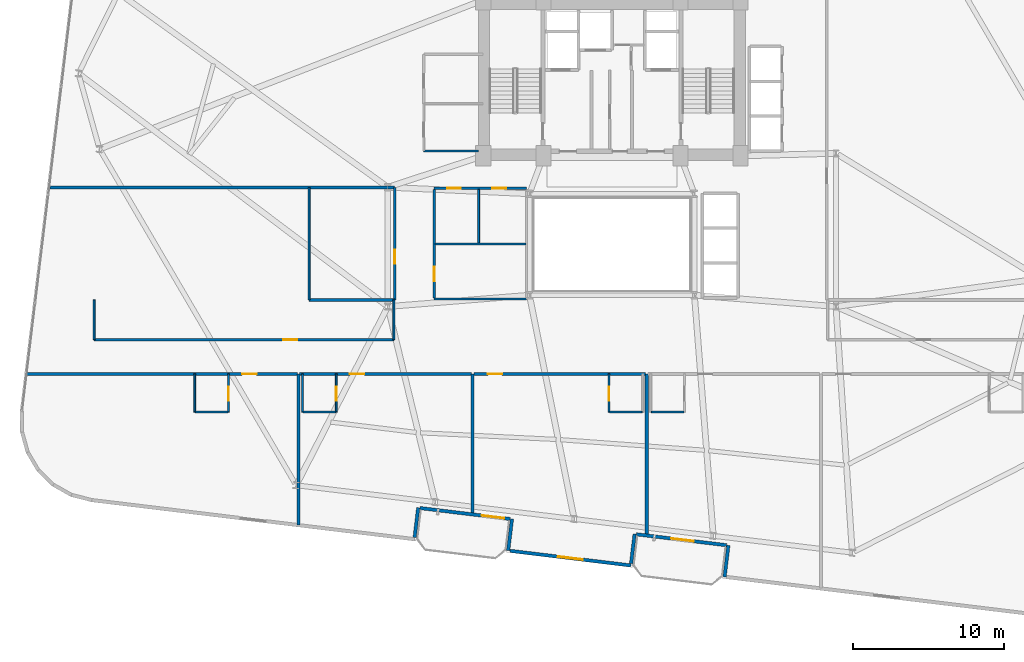
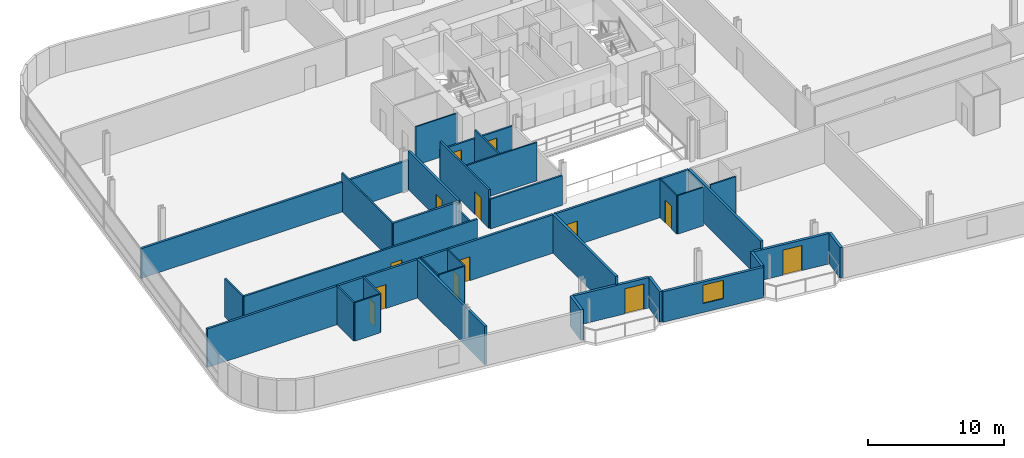
# One storey, part 20 of 25: 35 walls, 13 doors, 1 window, 14 openings.
"""IFC4 building model written with IfcOpenShell, lengths in metres."""

from ifc_helpers import new_model, si_unit, direction, frame, frame_2d, origin, place, context, subcontext, project, spatial, rectangle, extrude, material, layer, layer_set, type_object, element, fill, save


model = new_model("IFC4")

# Units and contexts
model_context = context("Model", 3, precision=1e-05, world=origin(), true_north=direction((0.0, 1.0)))
body_context = subcontext(model_context, "Body", "Model", "MODEL_VIEW")
ifc_project = project(units=[si_unit("LENGTHUNIT", "METRE"), si_unit("AREAUNIT", "SQUARE_METRE"), si_unit("VOLUMEUNIT", "CUBIC_METRE"), si_unit("PLANEANGLEUNIT", "RADIAN"), si_unit("MASSUNIT", "GRAM", prefix="KILO")], contexts=[model_context])

# Site, building, storey
site_placement = place(None, origin())
site = spatial("IfcSite", under=ifc_project, at=site_placement, CompositionType="ELEMENT")
building_placement = place(site_placement, origin())
building = spatial("IfcBuilding", under=site, at=building_placement, Name="Varnelok Gate Tower", CompositionType="ELEMENT")
storey_placement = place(building_placement, frame((0.0, 0.0, 140.199951171875)))
storey = spatial("IfcBuildingStorey", under=building, at=storey_placement, Name="L35", CompositionType="ELEMENT", Elevation=140.199951171875)

# Wall, opening, door
ifc_material_1 = material(Name="Concrete C45/55", Category="concrete")
ifc_layer_1 = layer(ifc_material_1, 0.219970703125)
ifc_layer_set_1 = layer_set([ifc_layer_1], Name="Concrete C45/55")
wall_type_1 = type_object("IfcWallType", Name="EW-BALC-220", PredefinedType="SOLIDWALL", material=ifc_layer_set_1)
wall_1_placement = place(storey_placement, frame((32.48046875, 4.76953125, 0.0), z_axis=(0.0, 0.0, 1.0), x_axis=(-0.992735402148, 0.120318000826, 0.0)))
wall_1 = element("IfcWall", 1, at=wall_1_placement, inside=storey, type_object=wall_type_1, Name="L35 South Terrace Envelope Wall 1", PredefinedType="SOLIDWALL", context=body_context, shape_type="SweptSolid", body=[
    extrude(rectangle(XDim=6.000244140625, YDim=0.219970703125, at=frame_2d((3.0, 0.0))), origin(), (0.0, 0.0, 1.0), 2.72998046875),
])
opening_1_placement = place(wall_1_placement, frame((0.39990234375, 0.0, 0.0)))
opening_1 = element("IfcOpeningElement", 2, at=opening_1_placement, cuts=wall_1, Name="Opening BD-1", PredefinedType="OPENING", context=body_context, shape_type="SweptSolid", body=[
    extrude(rectangle(XDim=1.5, YDim=2.25, at=frame_2d((0.75, 1.125))), frame((0.0, 0.119873046875, 0.0), z_axis=(0.0, -1.0, 0.0), x_axis=(1.0, 0.0, 0.0)), (0.0, 0.0, 1.0), 0.239990234375),
])
ifc_material_2 = material(Name="Anodized Aluminum Alloy 6063-T6", Category="aluminium")
door_type_1 = type_object("IfcDoorType", Name="DR-EXT-BALC1500", OperationType="NOTDEFINED", PredefinedType="DOOR", material=ifc_material_2)
door_1_placement = place(opening_1_placement, origin())
door_1 = element("IfcDoor", 3, at=door_1_placement, inside=storey, type_object=door_type_1, Name="L35 South Balcony Glazed Door 1", OperationType="SINGLE_SWING_RIGHT", OverallHeight=2.25, OverallWidth=1.5, PredefinedType="DOOR", context=body_context, shape_type="SweptSolid", body=[
    extrude(rectangle(XDim=1.5, YDim=2.25, at=frame_2d((0.75, 1.125))), frame((0.0, 0.02490234375, 0.0), z_axis=(0.0, -1.0, 0.0), x_axis=(1.0, 0.0, 0.0)), (0.0, 0.0, 1.0), 0.050048828125),
])
fill(opening_1, door_1)

wall_2_placement = place(storey_placement, frame((46.77587890625, 3.03662109375, 0.0), z_axis=(0.0, 0.0, 1.0), x_axis=(-0.992735402148, 0.120318000826, 0.0)))
wall_2 = element("IfcWall", 4, at=wall_2_placement, inside=storey, type_object=wall_type_1, Name="L35 South Terrace Envelope Wall 2", PredefinedType="SOLIDWALL", context=body_context, shape_type="SweptSolid", body=[
    extrude(rectangle(XDim=6.000244140625, YDim=0.219970703125, at=frame_2d((3.0, 0.0))), origin(), (0.0, 0.0, 1.0), 2.72998046875),
])
opening_2_placement = place(wall_2_placement, frame((2.176025390625, 0.0, 0.0)))
opening_2 = element("IfcOpeningElement", 5, at=opening_2_placement, cuts=wall_2, Name="Opening BD-1", PredefinedType="OPENING", context=body_context, shape_type="SweptSolid", body=[
    extrude(rectangle(XDim=1.5, YDim=2.25, at=frame_2d((0.75, 1.125))), frame((0.0, 0.119873046875, 0.0), z_axis=(0.0, -1.0, 0.0), x_axis=(1.0, 0.0, 0.0)), (0.0, 0.0, 1.0), 0.239990234375),
])
door_2_placement = place(opening_2_placement, origin())
door_2 = element("IfcDoor", 6, at=door_2_placement, inside=storey, type_object=door_type_1, Name="L35 South Balcony Glazed Door 2", OperationType="SINGLE_SWING_LEFT", OverallHeight=2.25, OverallWidth=1.5, PredefinedType="DOOR", context=body_context, shape_type="SweptSolid", body=[
    extrude(rectangle(XDim=1.5, YDim=2.25, at=frame_2d((0.75, 1.125))), frame((0.0, 0.02490234375, 0.0), z_axis=(0.0, -1.0, 0.0), x_axis=(1.0, 0.0, 0.0)), (0.0, 0.0, 1.0), 0.050048828125),
])
fill(opening_2, door_2)

# Walls
wall_3_placement = place(storey_placement, frame((26.16845703125, 3.555419921875, 0.0), z_axis=(0.0, 0.0, 1.0), x_axis=(0.120290754542, 0.992738703976, 0.0)))
element("IfcWall", 7, at=wall_3_placement, inside=storey, type_object=wall_type_1, Name="L35 Perimeter Facade Closure Wall 8", PredefinedType="SOLIDWALL", context=body_context, shape_type="SweptSolid", body=[
    extrude(rectangle(XDim=1.974853515625, YDim=0.219970703125, at=frame_2d((0.9873046875, 0.0))), origin(), (0.0, 0.0, 1.0), 2.72998046875),
])
wall_4_placement = place(storey_placement, frame((32.600830078125, 4.764892578125, 0.0), z_axis=(0.0, 0.0, 1.0), x_axis=(-0.120327895535, -0.992734202874, 0.0)))
element("IfcWall", 8, at=wall_4_placement, inside=storey, type_object=wall_type_1, Name="L35 Perimeter Facade Closure Wall 9", PredefinedType="SOLIDWALL", context=body_context, shape_type="SweptSolid", body=[
    extrude(rectangle(XDim=2.099853515625, YDim=0.219970703125, at=frame_2d((1.0498046875, 0.0))), origin(), (0.0, 0.0, 1.0), 2.72998046875),
])

# Wall, opening, window
wall_5_placement = place(storey_placement, frame((32.47216796875, 2.6650390625, 0.0), z_axis=(0.0, 0.0, 1.0), x_axis=(0.992734661931, -0.120324108143, 0.0)))
wall_5 = element("IfcWall", 9, at=wall_5_placement, inside=storey, type_object=wall_type_1, Name="L35 Perimeter Facade Closure Wall 10", PredefinedType="SOLIDWALL", context=body_context, shape_type="SweptSolid", body=[
    extrude(rectangle(XDim=8.034912109375, YDim=0.219970703125, at=frame_2d((4.017578125, 0.0))), origin(), (0.0, 0.0, 1.0), 2.72998046875),
])
opening_3_placement = place(wall_5_placement, frame((3.1923828125, 0.0, 0.800048828125)))
opening_3 = element("IfcOpeningElement", 10, at=opening_3_placement, cuts=wall_5, Name="Opening WN3", PredefinedType="OPENING", context=body_context, shape_type="SweptSolid", body=[
    extrude(rectangle(XDim=1.64990234375, YDim=1.64990234375, at=frame_2d((0.824951171875, 0.824951171875))), frame((0.0, 0.119873046875, 0.0), z_axis=(0.0, -1.0, 0.0), x_axis=(1.0, 0.0, 0.0)), (0.0, 0.0, 1.0), 0.239990234375),
])
ifc_material_3 = material(Name="Low-E Laminated Double Glazing IGU", Category="glass")
window_type = type_object("IfcWindowType", Name="WN-HTL-1650", PartitioningType="SINGLE_PANEL", PredefinedType="WINDOW", material=ifc_material_3)
window_placement = place(opening_3_placement, origin())
window = element("IfcWindow", 11, at=window_placement, inside=storey, type_object=window_type, Name="L35 Perimeter Vision Window 10", OverallHeight=1.64990234375, OverallWidth=1.64990234375, PartitioningType="SINGLE_PANEL", PredefinedType="WINDOW", context=body_context, shape_type="SweptSolid", body=[
    extrude(rectangle(XDim=1.64990234375, YDim=1.64990234375, at=frame_2d((0.824951171875, 0.824951171875))), frame((0.0, 0.030029296875, 0.0), z_axis=(0.0, -1.0, 0.0), x_axis=(1.0, 0.0, 0.0)), (0.0, 0.0, 1.0), 0.06005859375),
])
fill(opening_3, window)

# Walls
wall_6_placement = place(storey_placement, frame((40.4638671875, 1.822265625, 0.0), z_axis=(0.0, 0.0, 1.0), x_axis=(0.120275992932, 0.992740492538, 0.0)))
element("IfcWall", 12, at=wall_6_placement, inside=storey, type_object=wall_type_1, Name="L35 Perimeter Facade Closure Wall 11", PredefinedType="SOLIDWALL", context=body_context, shape_type="SweptSolid", body=[
    extrude(rectangle(XDim=1.97509765625, YDim=0.219970703125, at=frame_2d((0.987548828125, 0.0))), origin(), (0.0, 0.0, 1.0), 2.72998046875),
])
wall_7_placement = place(storey_placement, frame((46.89599609375, 3.031982421875, 0.0), z_axis=(0.0, 0.0, 1.0), x_axis=(-0.120327895535, -0.992734202874, 0.0)))
element("IfcWall", 13, at=wall_7_placement, inside=storey, type_object=wall_type_1, Name="L35 Perimeter Facade Closure Wall 12", PredefinedType="SOLIDWALL", context=body_context, shape_type="SweptSolid", body=[
    extrude(rectangle(XDim=2.099853515625, YDim=0.219970703125, at=frame_2d((1.0498046875, 0.0))), origin(), (0.0, 0.0, 1.0), 2.72998046875),
])

# Wall, opening, door
ifc_material_4 = material(Name="Gypsum Plasterboard Acoustic Partition", Category="gypsum")
ifc_layer_2 = layer(ifc_material_4, 0.179931640625)
ifc_layer_set_2 = layer_set([ifc_layer_2], Name="Gypsum Plasterboard Acoustic Partition")
wall_type_2 = type_object("IfcWallType", Name="PW-CORR-180", PredefinedType="PARTITIONING", material=ifc_layer_set_2)
wall_8_placement = place(storey_placement, frame((0.581298828125, 14.35009765625, 0.0), z_axis=(0.0, 0.0, 1.0), x_axis=(1.0, 0.0, 0.0)))
wall_8 = element("IfcWall", 14, at=wall_8_placement, inside=storey, type_object=wall_type_2, Name="Interior Partition", PredefinedType="PARTITIONING", context=body_context, shape_type="SweptSolid", body=[
    extrude(rectangle(XDim=17.838623046875, YDim=0.179931640625, at=frame_2d((8.91943359375, 0.0))), origin(), (0.0, 0.0, 1.0), 3.449951171875),
])
opening_4_placement = place(wall_8_placement, frame((14.195556640625, 0.0, 0.0)))
opening_4 = element("IfcOpeningElement", 15, at=opening_4_placement, cuts=wall_8, Name="Opening D-HT", PredefinedType="OPENING", context=body_context, shape_type="SweptSolid", body=[
    extrude(rectangle(XDim=0.949951171875, YDim=2.14990234375, at=frame_2d((0.47509765625, 1.074951171875))), frame((0.0, 0.099853515625, 0.0), z_axis=(0.0, -1.0, 0.0), x_axis=(1.0, 0.0, 0.0)), (0.0, 0.0, 1.0), 0.199951171875),
])
ifc_material_5 = material(Name="Engineered Hardwood Timber", Category="wood")
door_type_2 = type_object("IfcDoorType", Name="DR-HTL-950", OperationType="NOTDEFINED", PredefinedType="DOOR", material=ifc_material_5)
door_3_placement = place(opening_4_placement, origin())
door_3 = element("IfcDoor", 16, at=door_3_placement, inside=storey, type_object=door_type_2, Name="L35 Guest Room 01 Entrance Door", OperationType="SINGLE_SWING_RIGHT", OverallHeight=2.14990234375, OverallWidth=0.949951171875, PredefinedType="DOOR", context=body_context, shape_type="SweptSolid", body=[
    extrude(rectangle(XDim=0.949951171875, YDim=2.14990234375, at=frame_2d((0.47509765625, 1.074951171875))), frame((0.0, 0.02490234375, 0.0), z_axis=(0.0, -1.0, 0.0), x_axis=(1.0, 0.0, 0.0)), (0.0, 0.0, 1.0), 0.050048828125),
])
fill(opening_4, door_3)

wall_9_placement = place(storey_placement, frame((18.580078125, 14.35009765625, 0.0), z_axis=(0.0, 0.0, 1.0), x_axis=(1.0, 0.0, 0.0)))
wall_9 = element("IfcWall", 17, at=wall_9_placement, inside=storey, type_object=wall_type_2, Name="Interior Partition", PredefinedType="PARTITIONING", context=body_context, shape_type="SweptSolid", body=[
    extrude(rectangle(XDim=11.33984375, YDim=0.179931640625, at=frame_2d((5.669921875, 0.0))), origin(), (0.0, 0.0, 1.0), 3.449951171875),
])
opening_5_placement = place(wall_9_placement, frame((3.313232421875, 0.0, 0.0)))
opening_5 = element("IfcOpeningElement", 18, at=opening_5_placement, cuts=wall_9, Name="Opening D-HT", PredefinedType="OPENING", context=body_context, shape_type="SweptSolid", body=[
    extrude(rectangle(XDim=0.949951171875, YDim=2.14990234375, at=frame_2d((0.47509765625, 1.074951171875))), frame((0.0, 0.099853515625, 0.0), z_axis=(0.0, -1.0, 0.0), x_axis=(1.0, 0.0, 0.0)), (0.0, 0.0, 1.0), 0.199951171875),
])
door_4_placement = place(opening_5_placement, origin())
door_4 = element("IfcDoor", 19, at=door_4_placement, inside=storey, type_object=door_type_2, Name="L35 Guest Room 02 Entrance Door", OperationType="SINGLE_SWING_LEFT", OverallHeight=2.14990234375, OverallWidth=0.949951171875, PredefinedType="DOOR", context=body_context, shape_type="SweptSolid", body=[
    extrude(rectangle(XDim=0.949951171875, YDim=2.14990234375, at=frame_2d((0.47509765625, 1.074951171875))), frame((0.0, 0.02490234375, 0.0), z_axis=(0.0, -1.0, 0.0), x_axis=(1.0, 0.0, 0.0)), (0.0, 0.0, 1.0), 0.050048828125),
])
fill(opening_5, door_4)

wall_10_placement = place(storey_placement, frame((30.080078125, 14.35009765625, 0.0), z_axis=(0.0, 0.0, 1.0), x_axis=(1.0, 0.0, 0.0)))
wall_10 = element("IfcWall", 20, at=wall_10_placement, inside=storey, type_object=wall_type_2, Name="Interior Partition", PredefinedType="PARTITIONING", context=body_context, shape_type="SweptSolid", body=[
    extrude(rectangle(XDim=11.33984375, YDim=0.179931640625, at=frame_2d((5.669921875, 0.0))), origin(), (0.0, 0.0, 1.0), 3.449951171875),
])
opening_6_placement = place(wall_10_placement, frame((0.92333984375, 0.0, 0.0)))
opening_6 = element("IfcOpeningElement", 21, at=opening_6_placement, cuts=wall_10, Name="Opening D-HT", PredefinedType="OPENING", context=body_context, shape_type="SweptSolid", body=[
    extrude(rectangle(XDim=0.949951171875, YDim=2.14990234375, at=frame_2d((0.47509765625, 1.074951171875))), frame((0.0, 0.099853515625, 0.0), z_axis=(0.0, -1.0, 0.0), x_axis=(1.0, 0.0, 0.0)), (0.0, 0.0, 1.0), 0.199951171875),
])
door_5_placement = place(opening_6_placement, origin())
door_5 = element("IfcDoor", 22, at=door_5_placement, inside=storey, type_object=door_type_2, Name="L35 Guest Room 03 Entrance Door", OperationType="SINGLE_SWING_RIGHT", OverallHeight=2.14990234375, OverallWidth=0.949951171875, PredefinedType="DOOR", context=body_context, shape_type="SweptSolid", body=[
    extrude(rectangle(XDim=0.949951171875, YDim=2.14990234375, at=frame_2d((0.47509765625, 1.074951171875))), frame((0.0, 0.02490234375, 0.0), z_axis=(0.0, -1.0, 0.0), x_axis=(1.0, 0.0, 0.0)), (0.0, 0.0, 1.0), 0.050048828125),
])
fill(opening_6, door_5)

wall_11_placement = place(storey_placement, frame((24.85009765625, 19.239990234375, 0.0), z_axis=(0.0, 0.0, 1.0), x_axis=(0.0, 1.0, 0.0)))
wall_11 = element("IfcWall", 23, at=wall_11_placement, inside=storey, type_object=wall_type_2, Name="Interior Partition", PredefinedType="PARTITIONING", context=body_context, shape_type="SweptSolid", body=[
    extrude(rectangle(XDim=7.419921875, YDim=0.179931640625, at=frame_2d((3.7099609375, 0.0))), origin(), (0.0, 0.0, 1.0), 3.449951171875),
])
opening_7_placement = place(wall_11_placement, frame((2.39990234375, 0.0, 0.0)))
opening_7 = element("IfcOpeningElement", 24, at=opening_7_placement, cuts=wall_11, Name="Opening D-I3", PredefinedType="OPENING", context=body_context, shape_type="SweptSolid", body=[
    extrude(rectangle(XDim=0.919921875, YDim=2.050048828125, at=frame_2d((0.4599609375, 1.02490234375))), frame((0.0, 0.099853515625, 0.0), z_axis=(0.0, -1.0, 0.0), x_axis=(1.0, 0.0, 0.0)), (0.0, 0.0, 1.0), 0.199951171875),
])
door_type_3 = type_object("IfcDoorType", Name="DR-INT-920", OperationType="NOTDEFINED", PredefinedType="DOOR", material=ifc_material_5)
door_6_placement = place(opening_7_placement, origin())
door_6 = element("IfcDoor", 25, at=door_6_placement, inside=storey, type_object=door_type_3, Name="L35 West Playroom Door", OperationType="SINGLE_SWING_LEFT", OverallHeight=2.050048828125, OverallWidth=0.919921875, PredefinedType="DOOR", context=body_context, shape_type="SweptSolid", body=[
    extrude(rectangle(XDim=0.919921875, YDim=2.050048828125, at=frame_2d((0.4599609375, 1.02490234375))), frame((0.0, 0.02490234375, 0.0), z_axis=(0.0, -1.0, 0.0), x_axis=(1.0, 0.0, 0.0)), (0.0, 0.0, 1.0), 0.050048828125),
])
fill(opening_7, door_6)

# Walls
wall_12_placement = place(storey_placement, frame((19.199951171875, 19.239990234375, 0.0), z_axis=(0.0, 0.0, 1.0), x_axis=(1.0, 0.0, 0.0)))
element("IfcWall", 26, at=wall_12_placement, inside=storey, type_object=wall_type_2, Name="Interior Partition", PredefinedType="PARTITIONING", context=body_context, shape_type="SweptSolid", body=[
    extrude(rectangle(XDim=5.650146484375, YDim=0.179931640625, at=frame_2d((2.8251953125, 0.0))), origin(), (0.0, 0.0, 1.0), 3.449951171875),
])
wall_13_placement = place(storey_placement, frame((2.073486328125, 26.659912109375, 0.0), z_axis=(0.0, 0.0, 1.0), x_axis=(1.0, 0.0, 0.0)))
element("IfcWall", 27, at=wall_13_placement, inside=storey, type_object=wall_type_2, Name="Interior Partition", PredefinedType="PARTITIONING", context=body_context, shape_type="SweptSolid", body=[
    extrude(rectangle(XDim=22.776611328125, YDim=0.179931640625, at=frame_2d((11.38818359375, 0.0))), origin(), (0.0, 0.0, 1.0), 2.662109375),
])
ifc_layer_3 = layer(ifc_material_4, 0.114990234375)
ifc_layer_set_3 = layer_set([ifc_layer_3], Name="Gypsum Plasterboard Acoustic Partition")
wall_type_3 = type_object("IfcWallType", Name="PW-ENS-125", PredefinedType="PARTITIONING", material=ifc_layer_set_3)
wall_14_placement = place(storey_placement, frame((11.679931640625, 11.830078125, 0.0), z_axis=(0.0, 0.0, 1.0), x_axis=(1.0, 0.0, 0.0)))
element("IfcWall", 28, at=wall_14_placement, inside=storey, type_object=wall_type_3, Name="Interior Partition", PredefinedType="PARTITIONING", context=body_context, shape_type="SweptSolid", body=[
    extrude(rectangle(XDim=2.150146484375, YDim=0.114990234375, at=frame_2d((1.0751953125, 0.0))), origin(), (0.0, 0.0, 1.0), 3.449951171875),
])

# Wall, opening, door
wall_15_placement = place(storey_placement, frame((13.8701171875, 11.830078125, 0.0), z_axis=(0.0, 0.0, 1.0), x_axis=(0.0, 1.0, 0.0)))
wall_15 = element("IfcWall", 29, at=wall_15_placement, inside=storey, type_object=wall_type_3, Name="Interior Partition", PredefinedType="PARTITIONING", context=body_context, shape_type="SweptSolid", body=[
    extrude(rectangle(XDim=2.52001953125, YDim=0.114990234375, at=frame_2d((1.260009765625, 0.0))), origin(), (0.0, 0.0, 1.0), 3.449951171875),
])
opening_8_placement = place(wall_15_placement, frame((0.760009765625, 0.0, 0.0)))
opening_8 = element("IfcOpeningElement", 30, at=opening_8_placement, cuts=wall_15, Name="Opening D-WC", PredefinedType="OPENING", context=body_context, shape_type="SweptSolid", body=[
    extrude(rectangle(XDim=0.89990234375, YDim=2.050048828125, at=frame_2d((0.449951171875, 1.02490234375))), frame((0.0, 0.0673828125, 0.0), z_axis=(0.0, -1.0, 0.0), x_axis=(1.0, 0.0, 0.0)), (0.0, 0.0, 1.0), 0.135009765625),
])
door_type_4 = type_object("IfcDoorType", Name="DR-BATH-900", OperationType="NOTDEFINED", PredefinedType="DOOR", material=ifc_material_5)
door_7_placement = place(opening_8_placement, origin())
door_7 = element("IfcDoor", 31, at=door_7_placement, inside=storey, type_object=door_type_4, Name="L35 Guest En-Suite 01 Door", OperationType="SINGLE_SWING_LEFT", OverallHeight=2.050048828125, OverallWidth=0.89990234375, PredefinedType="DOOR", context=body_context, shape_type="SweptSolid", body=[
    extrude(rectangle(XDim=0.89990234375, YDim=2.050048828125, at=frame_2d((0.449951171875, 1.02490234375))), frame((0.0, 0.02490234375, 0.0), z_axis=(0.0, -1.0, 0.0), x_axis=(1.0, 0.0, 0.0)), (0.0, 0.0, 1.0), 0.050048828125),
])
fill(opening_8, door_7)

# Walls
wall_16_placement = place(storey_placement, frame((11.639892578125, 11.830078125, 0.0), z_axis=(0.0, 0.0, 1.0), x_axis=(0.0, 1.0, 0.0)))
element("IfcWall", 32, at=wall_16_placement, inside=storey, type_object=wall_type_3, Name="Interior Partition", PredefinedType="PARTITIONING", context=body_context, shape_type="SweptSolid", body=[
    extrude(rectangle(XDim=2.52001953125, YDim=0.114990234375, at=frame_2d((1.260009765625, 0.0))), origin(), (0.0, 0.0, 1.0), 3.449951171875),
])
wall_17_placement = place(storey_placement, frame((18.800048828125, 11.830078125, 0.0), z_axis=(0.0, 0.0, 1.0), x_axis=(1.0, 0.0, 0.0)))
element("IfcWall", 33, at=wall_17_placement, inside=storey, type_object=wall_type_3, Name="Interior Partition", PredefinedType="PARTITIONING", context=body_context, shape_type="SweptSolid", body=[
    extrude(rectangle(XDim=2.14990234375, YDim=0.114990234375, at=frame_2d((1.074951171875, 0.0))), origin(), (0.0, 0.0, 1.0), 3.449951171875),
])

# Wall, opening, door
wall_18_placement = place(storey_placement, frame((20.989990234375, 11.830078125, 0.0), z_axis=(0.0, 0.0, 1.0), x_axis=(0.0, 1.0, 0.0)))
wall_18 = element("IfcWall", 34, at=wall_18_placement, inside=storey, type_object=wall_type_3, Name="Interior Partition", PredefinedType="PARTITIONING", context=body_context, shape_type="SweptSolid", body=[
    extrude(rectangle(XDim=2.52001953125, YDim=0.114990234375, at=frame_2d((1.260009765625, 0.0))), origin(), (0.0, 0.0, 1.0), 3.449951171875),
])
opening_9_placement = place(wall_18_placement, frame((0.760009765625, 0.0, 0.0)))
opening_9 = element("IfcOpeningElement", 35, at=opening_9_placement, cuts=wall_18, Name="Opening D-WC", PredefinedType="OPENING", context=body_context, shape_type="SweptSolid", body=[
    extrude(rectangle(XDim=0.89990234375, YDim=2.050048828125, at=frame_2d((0.449951171875, 1.02490234375))), frame((0.0, 0.0673828125, 0.0), z_axis=(0.0, -1.0, 0.0), x_axis=(1.0, 0.0, 0.0)), (0.0, 0.0, 1.0), 0.135009765625),
])
door_8_placement = place(opening_9_placement, origin())
door_8 = element("IfcDoor", 36, at=door_8_placement, inside=storey, type_object=door_type_4, Name="L35 Guest En-Suite 02 Door", OperationType="SINGLE_SWING_LEFT", OverallHeight=2.050048828125, OverallWidth=0.89990234375, PredefinedType="DOOR", context=body_context, shape_type="SweptSolid", body=[
    extrude(rectangle(XDim=0.89990234375, YDim=2.050048828125, at=frame_2d((0.449951171875, 1.02490234375))), frame((0.0, 0.02490234375, 0.0), z_axis=(0.0, -1.0, 0.0), x_axis=(1.0, 0.0, 0.0)), (0.0, 0.0, 1.0), 0.050048828125),
])
fill(opening_9, door_8)

# Walls
wall_19_placement = place(storey_placement, frame((18.760009765625, 11.830078125, 0.0), z_axis=(0.0, 0.0, 1.0), x_axis=(0.0, 1.0, 0.0)))
element("IfcWall", 37, at=wall_19_placement, inside=storey, type_object=wall_type_3, Name="Interior Partition", PredefinedType="PARTITIONING", context=body_context, shape_type="SweptSolid", body=[
    extrude(rectangle(XDim=2.52001953125, YDim=0.114990234375, at=frame_2d((1.260009765625, 0.0))), origin(), (0.0, 0.0, 1.0), 3.449951171875),
])
wall_20_placement = place(storey_placement, frame((39.050048828125, 11.830078125, 0.0), z_axis=(0.0, 0.0, 1.0), x_axis=(1.0, 0.0, 0.0)))
element("IfcWall", 38, at=wall_20_placement, inside=storey, type_object=wall_type_3, Name="Interior Partition", PredefinedType="PARTITIONING", context=body_context, shape_type="SweptSolid", body=[
    extrude(rectangle(XDim=2.14990234375, YDim=0.114990234375, at=frame_2d((1.074951171875, 0.0))), origin(), (0.0, 0.0, 1.0), 3.449951171875),
])

# Wall, opening, door
wall_21_placement = place(storey_placement, frame((39.010009765625, 11.830078125, 0.0), z_axis=(0.0, 0.0, 1.0), x_axis=(0.0, 1.0, 0.0)))
wall_21 = element("IfcWall", 39, at=wall_21_placement, inside=storey, type_object=wall_type_3, Name="Interior Partition", PredefinedType="PARTITIONING", context=body_context, shape_type="SweptSolid", body=[
    extrude(rectangle(XDim=2.52001953125, YDim=0.114990234375, at=frame_2d((1.260009765625, 0.0))), origin(), (0.0, 0.0, 1.0), 3.449951171875),
])
opening_10_placement = place(wall_21_placement, frame((0.760009765625, 0.0, 0.0)))
opening_10 = element("IfcOpeningElement", 40, at=opening_10_placement, cuts=wall_21, Name="Opening D-WC", PredefinedType="OPENING", context=body_context, shape_type="SweptSolid", body=[
    extrude(rectangle(XDim=0.89990234375, YDim=2.050048828125, at=frame_2d((0.449951171875, 1.02490234375))), frame((0.0, 0.0673828125, 0.0), z_axis=(0.0, -1.0, 0.0), x_axis=(1.0, 0.0, 0.0)), (0.0, 0.0, 1.0), 0.135009765625),
])
door_9_placement = place(opening_10_placement, origin())
door_9 = element("IfcDoor", 41, at=door_9_placement, inside=storey, type_object=door_type_4, Name="L35 Guest En-Suite 03 Door", OperationType="SINGLE_SWING_RIGHT", OverallHeight=2.050048828125, OverallWidth=0.89990234375, PredefinedType="DOOR", context=body_context, shape_type="SweptSolid", body=[
    extrude(rectangle(XDim=0.89990234375, YDim=2.050048828125, at=frame_2d((0.449951171875, 1.02490234375))), frame((0.0, 0.02490234375, 0.0), z_axis=(0.0, -1.0, 0.0), x_axis=(1.0, 0.0, 0.0)), (0.0, 0.0, 1.0), 0.050048828125),
])
fill(opening_10, door_9)

# Walls
wall_22_placement = place(storey_placement, frame((41.800048828125, 11.830078125, 0.0), z_axis=(0.0, 0.0, 1.0), x_axis=(1.0, 0.0, 0.0)))
element("IfcWall", 42, at=wall_22_placement, inside=storey, type_object=wall_type_3, Name="Interior Partition", PredefinedType="PARTITIONING", context=body_context, shape_type="SweptSolid", body=[
    extrude(rectangle(XDim=2.14990234375, YDim=0.114990234375, at=frame_2d((1.074951171875, 0.0))), origin(), (0.0, 0.0, 1.0), 3.449951171875),
])
wall_23_placement = place(storey_placement, frame((26.780029296875, 29.080078125, 0.0), z_axis=(0.0, 0.0, 1.0), x_axis=(1.0, 0.0, 0.0)))
element("IfcWall", 43, at=wall_23_placement, inside=storey, type_object=wall_type_3, Name="Interior Partition", PredefinedType="PARTITIONING", context=body_context, shape_type="SweptSolid", body=[
    extrude(rectangle(XDim=3.599853515625, YDim=0.114990234375, at=frame_2d((1.7998046875, 0.0))), origin(), (0.0, 0.0, 1.0), 3.449951171875),
])
ifc_layer_4 = layer(ifc_material_4, 0.125)
ifc_layer_set_4 = layer_set([ifc_layer_4], Name="Gypsum Plasterboard Acoustic Partition")
wall_type_4 = type_object("IfcWallType", Name="PW-PART-125", PredefinedType="PARTITIONING", material=ifc_layer_set_4)
wall_24_placement = place(storey_placement, frame((5.0, 16.610107421875, 0.0), z_axis=(0.0, 0.0, 1.0), x_axis=(0.0, 1.0, 0.0)))
element("IfcWall", 44, at=wall_24_placement, inside=storey, type_object=wall_type_4, Name="Interior Partition", PredefinedType="PARTITIONING", context=body_context, shape_type="SweptSolid", body=[
    extrude(rectangle(XDim=2.6298828125, YDim=0.125, at=frame_2d((1.31494140625, 0.0))), origin(), (0.0, 0.0, 1.0), 3.449951171875),
])
wall_25_placement = place(storey_placement, frame((24.800048828125, 16.610107421875, 0.0), z_axis=(0.0, 0.0, 1.0), x_axis=(0.0, 1.0, 0.0)))
element("IfcWall", 45, at=wall_25_placement, inside=storey, type_object=wall_type_4, Name="Interior Partition", PredefinedType="PARTITIONING", context=body_context, shape_type="SweptSolid", body=[
    extrude(rectangle(XDim=2.6298828125, YDim=0.125, at=frame_2d((1.31494140625, 0.0))), origin(), (0.0, 0.0, 1.0), 2.662109375),
])
wall_26_placement = place(storey_placement, frame((19.199951171875, 19.239990234375, 0.0), z_axis=(0.0, 0.0, 1.0), x_axis=(0.0, 1.0, 0.0)))
element("IfcWall", 46, at=wall_26_placement, inside=storey, type_object=wall_type_4, Name="Interior Partition", PredefinedType="PARTITIONING", context=body_context, shape_type="SweptSolid", body=[
    extrude(rectangle(XDim=7.419921875, YDim=0.125, at=frame_2d((3.7099609375, 0.0))), origin(), (0.0, 0.0, 1.0), 3.449951171875),
])
wall_27_placement = place(storey_placement, frame((27.52001953125, 22.929931640625, 0.0), z_axis=(0.0, 0.0, 1.0), x_axis=(1.0, 0.0, 0.0)))
element("IfcWall", 47, at=wall_27_placement, inside=storey, type_object=wall_type_4, Name="Interior Partition", PredefinedType="PARTITIONING", context=body_context, shape_type="SweptSolid", body=[
    extrude(rectangle(XDim=6.0, YDim=0.125, at=frame_2d((3.0, 0.0))), origin(), (0.0, 0.0, 1.0), 3.449951171875),
])
wall_28_placement = place(storey_placement, frame((30.39990234375, 23.0, 0.0), z_axis=(0.0, 0.0, 1.0), x_axis=(0.0, 1.0, 0.0)))
element("IfcWall", 48, at=wall_28_placement, inside=storey, type_object=wall_type_4, Name="Interior Partition", PredefinedType="PARTITIONING", context=body_context, shape_type="SweptSolid", body=[
    extrude(rectangle(XDim=3.5400390625, YDim=0.125, at=frame_2d((1.77001953125, 0.0))), origin(), (0.0, 0.0, 1.0), 3.449951171875),
])

# Wall, opening, door
ifc_layer_5 = layer(ifc_material_4, 0.14990234375)
ifc_layer_set_5 = layer_set([ifc_layer_5], Name="Gypsum Plasterboard Acoustic Partition")
wall_type_5 = type_object("IfcWallType", Name="PW-PART-150", PredefinedType="PARTITIONING", material=ifc_layer_set_5)
wall_29_placement = place(storey_placement, frame((5.0, 16.610107421875, 0.0), z_axis=(0.0, 0.0, 1.0), x_axis=(1.0, 0.0, 0.0)))
wall_29 = element("IfcWall", 49, at=wall_29_placement, inside=storey, type_object=wall_type_5, Name="Interior Partition", PredefinedType="PARTITIONING", context=body_context, shape_type="SweptSolid", body=[
    extrude(rectangle(XDim=19.800048828125, YDim=0.14990234375, at=frame_2d((9.89990234375, 0.0))), origin(), (0.0, 0.0, 1.0), 3.449951171875),
])
opening_11_placement = place(wall_29_placement, frame((12.485107421875, 0.0, 0.0)))
opening_11 = element("IfcOpeningElement", 50, at=opening_11_placement, cuts=wall_29, Name="Opening D-I3", PredefinedType="OPENING", context=body_context, shape_type="SweptSolid", body=[
    extrude(rectangle(XDim=0.919921875, YDim=2.050048828125, at=frame_2d((0.4599609375, 1.02490234375))), frame((0.0, 0.0849609375, 0.0), z_axis=(0.0, -1.0, 0.0), x_axis=(1.0, 0.0, 0.0)), (0.0, 0.0, 1.0), 0.169921875),
])
door_10_placement = place(opening_11_placement, origin())
door_10 = element("IfcDoor", 51, at=door_10_placement, inside=storey, type_object=door_type_3, Name="L35 Atrium Room 1 Door", OperationType="SINGLE_SWING_LEFT", OverallHeight=2.050048828125, OverallWidth=0.919921875, PredefinedType="DOOR", context=body_context, shape_type="SweptSolid", body=[
    extrude(rectangle(XDim=0.919921875, YDim=2.050048828125, at=frame_2d((0.4599609375, 1.02490234375))), frame((0.0, 0.02490234375, 0.0), z_axis=(0.0, -1.0, 0.0), x_axis=(1.0, 0.0, 0.0)), (0.0, 0.0, 1.0), 0.050048828125),
])
fill(opening_11, door_10)

# Wall
wall_30_placement = place(storey_placement, frame((27.4599609375, 19.300048828125, 0.0), z_axis=(0.0, 0.0, 1.0), x_axis=(1.0, 0.0, 0.0)))
element("IfcWall", 52, at=wall_30_placement, inside=storey, type_object=wall_type_5, Name="Interior Partition", PredefinedType="PARTITIONING", context=body_context, shape_type="SweptSolid", body=[
    extrude(rectangle(XDim=6.10009765625, YDim=0.14990234375, at=frame_2d((3.050048828125, 0.0))), origin(), (0.0, 0.0, 1.0), 2.662109375),
])

# Wall, openings, doors
wall_31_placement = place(storey_placement, frame((27.4599609375, 26.6201171875, 0.0), z_axis=(0.0, 0.0, 1.0), x_axis=(1.0, 0.0, 0.0)))
wall_31 = element("IfcWall", 53, at=wall_31_placement, inside=storey, type_object=wall_type_5, Name="Interior Partition", PredefinedType="PARTITIONING", context=body_context, shape_type="SweptSolid", body=[
    extrude(rectangle(XDim=6.10009765625, YDim=0.14990234375, at=frame_2d((3.050048828125, 0.0))), origin(), (0.0, 0.0, 1.0), 2.662109375),
])
opening_12_placement = place(wall_31_placement, frame((0.85009765625, 0.0, 0.0)))
opening_12 = element("IfcOpeningElement", 54, at=opening_12_placement, cuts=wall_31, Name="Opening D-WC", PredefinedType="OPENING", context=body_context, shape_type="SweptSolid", body=[
    extrude(rectangle(XDim=0.89990234375, YDim=2.050048828125, at=frame_2d((0.449951171875, 1.02490234375))), frame((0.0, 0.0849609375, 0.0), z_axis=(0.0, -1.0, 0.0), x_axis=(1.0, 0.0, 0.0)), (0.0, 0.0, 1.0), 0.169921875),
])
opening_13_placement = place(wall_31_placement, frame((3.85009765625, 0.0, 0.0)))
opening_13 = element("IfcOpeningElement", 55, at=opening_13_placement, cuts=wall_31, Name="Opening D-I3", PredefinedType="OPENING", context=body_context, shape_type="SweptSolid", body=[
    extrude(rectangle(XDim=0.919921875, YDim=2.050048828125, at=frame_2d((0.4599609375, 1.02490234375))), frame((0.0, 0.0849609375, 0.0), z_axis=(0.0, -1.0, 0.0), x_axis=(1.0, 0.0, 0.0)), (0.0, 0.0, 1.0), 0.169921875),
])
door_11_placement = place(opening_12_placement, origin())
door_11 = element("IfcDoor", 56, at=door_11_placement, inside=storey, type_object=door_type_4, Name="L35 Accessible Floor WC Door", OperationType="SINGLE_SWING_RIGHT", OverallHeight=2.050048828125, OverallWidth=0.89990234375, PredefinedType="DOOR", context=body_context, shape_type="SweptSolid", body=[
    extrude(rectangle(XDim=0.89990234375, YDim=2.050048828125, at=frame_2d((0.449951171875, 1.02490234375))), frame((0.0, 0.02490234375, 0.0), z_axis=(0.0, -1.0, 0.0), x_axis=(1.0, 0.0, 0.0)), (0.0, 0.0, 1.0), 0.050048828125),
])
fill(opening_12, door_11)
door_12_placement = place(opening_13_placement, origin())
door_12 = element("IfcDoor", 57, at=door_12_placement, inside=storey, type_object=door_type_3, Name="L35 Cleaner Supply Door", OperationType="SINGLE_SWING_LEFT", OverallHeight=2.050048828125, OverallWidth=0.919921875, PredefinedType="DOOR", context=body_context, shape_type="SweptSolid", body=[
    extrude(rectangle(XDim=0.919921875, YDim=2.050048828125, at=frame_2d((0.4599609375, 1.02490234375))), frame((0.0, 0.02490234375, 0.0), z_axis=(0.0, -1.0, 0.0), x_axis=(1.0, 0.0, 0.0)), (0.0, 0.0, 1.0), 0.050048828125),
])
fill(opening_13, door_12)

# Wall, opening, door
wall_32_placement = place(storey_placement, frame((27.4599609375, 19.3798828125, 0.0), z_axis=(0.0, 0.0, 1.0), x_axis=(0.0, 1.0, 0.0)))
wall_32 = element("IfcWall", 58, at=wall_32_placement, inside=storey, type_object=wall_type_5, Name="Interior Partition", PredefinedType="PARTITIONING", context=body_context, shape_type="SweptSolid", body=[
    extrude(rectangle(XDim=7.16015625, YDim=0.14990234375, at=frame_2d((3.580078125, 0.0))), origin(), (0.0, 0.0, 1.0), 3.449951171875),
])
opening_14_placement = place(wall_32_placement, frame((1.10009765625, 0.0, 0.0)))
opening_14 = element("IfcOpeningElement", 59, at=opening_14_placement, cuts=wall_32, Name="Opening D-I2", PredefinedType="OPENING", context=body_context, shape_type="SweptSolid", body=[
    extrude(rectangle(XDim=0.949951171875, YDim=2.050048828125, at=frame_2d((0.47509765625, 1.02490234375))), frame((0.0, 0.0849609375, 0.0), z_axis=(0.0, -1.0, 0.0), x_axis=(1.0, 0.0, 0.0)), (0.0, 0.0, 1.0), 0.169921875),
])
door_type_5 = type_object("IfcDoorType", Name="DR-INT-950", OperationType="NOTDEFINED", PredefinedType="DOOR", material=ifc_material_5)
door_13_placement = place(opening_14_placement, origin())
door_13 = element("IfcDoor", 60, at=door_13_placement, inside=storey, type_object=door_type_5, Name="L35 Hotel Business Center Door", OperationType="SINGLE_SWING_LEFT", OverallHeight=2.050048828125, OverallWidth=0.949951171875, PredefinedType="DOOR", context=body_context, shape_type="SweptSolid", body=[
    extrude(rectangle(XDim=0.949951171875, YDim=2.050048828125, at=frame_2d((0.47509765625, 1.02490234375))), frame((0.0, 0.02490234375, 0.0), z_axis=(0.0, -1.0, 0.0), x_axis=(1.0, 0.0, 0.0)), (0.0, 0.0, 1.0), 0.050048828125),
])
fill(opening_14, door_13)

# Walls
ifc_layer_6 = layer(ifc_material_4, 0.205078125)
ifc_layer_set_6 = layer_set([ifc_layer_6], Name="Gypsum Plasterboard Acoustic Partition")
wall_type_6 = type_object("IfcWallType", Name="PW-PARTY-200", PredefinedType="PARTITIONING", material=ifc_layer_set_6)
wall_33_placement = place(storey_placement, frame((18.5, 4.379150390625, 0.0), z_axis=(0.0, 0.0, 1.0), x_axis=(0.0, 1.0, 0.0)))
element("IfcWall", 61, at=wall_33_placement, inside=storey, type_object=wall_type_6, Name="L35 South Party Wall 1", PredefinedType="PARTITIONING", context=body_context, shape_type="SweptSolid", body=[
    extrude(rectangle(XDim=9.970947265625, YDim=0.205078125, at=frame_2d((4.9853515625, 0.0))), origin(), (0.0, 0.0, 1.0), 3.449951171875),
])
wall_34_placement = place(storey_placement, frame((30.0, 5.100341796875, 0.0), z_axis=(0.0, 0.0, 1.0), x_axis=(0.0, 1.0, 0.0)))
element("IfcWall", 62, at=wall_34_placement, inside=storey, type_object=wall_type_6, Name="L35 South Party Wall 2", PredefinedType="PARTITIONING", context=body_context, shape_type="SweptSolid", body=[
    extrude(rectangle(XDim=9.249755859375, YDim=0.205078125, at=frame_2d((4.625, 0.0))), origin(), (0.0, 0.0, 1.0), 3.449951171875),
])
wall_35_placement = place(storey_placement, frame((41.5, 3.706298828125, 0.0), z_axis=(0.0, 0.0, 1.0), x_axis=(0.0, 1.0, 0.0)))
element("IfcWall", 63, at=wall_35_placement, inside=storey, type_object=wall_type_6, Name="L35 South Party Wall 3", PredefinedType="PARTITIONING", context=body_context, shape_type="SweptSolid", body=[
    extrude(rectangle(XDim=10.643798828125, YDim=0.205078125, at=frame_2d((5.32177734375, 0.0))), origin(), (0.0, 0.0, 1.0), 3.449951171875),
])

save(model, "model.ifc")
